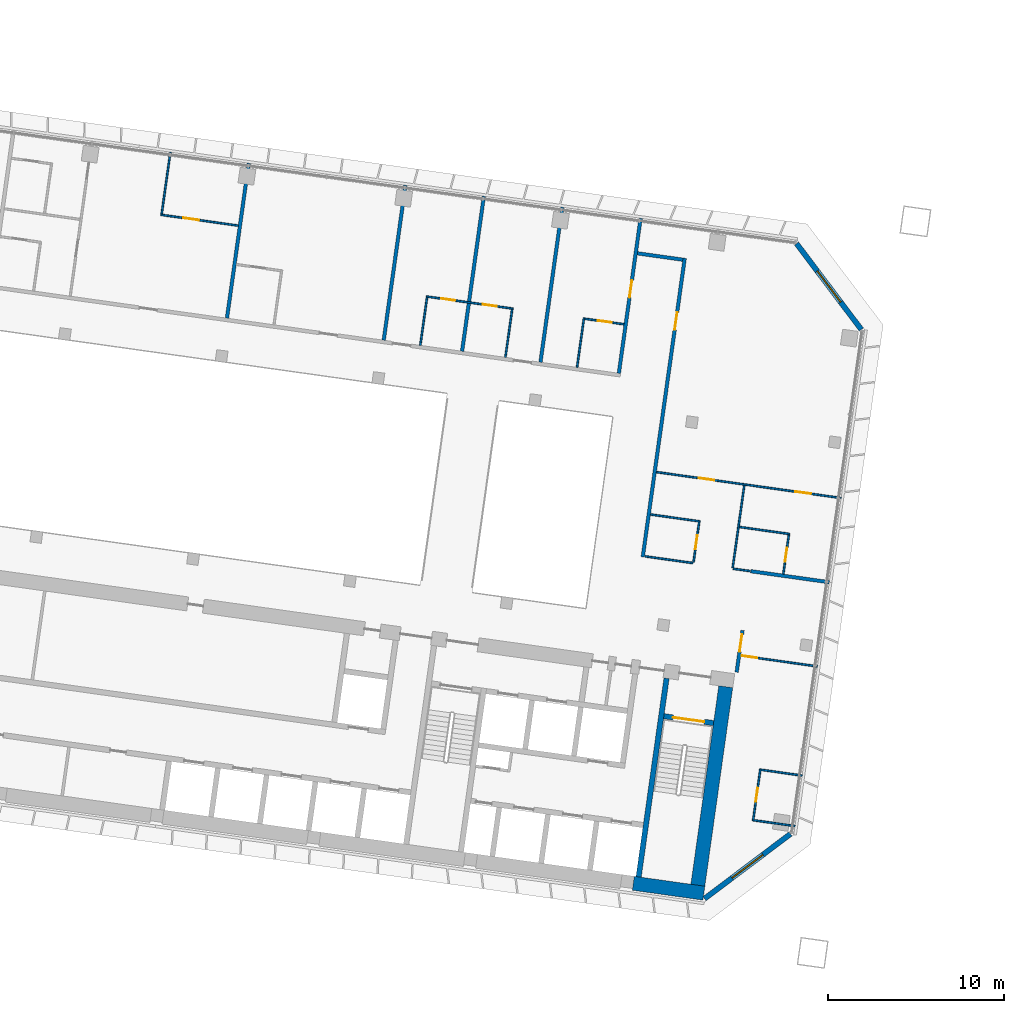
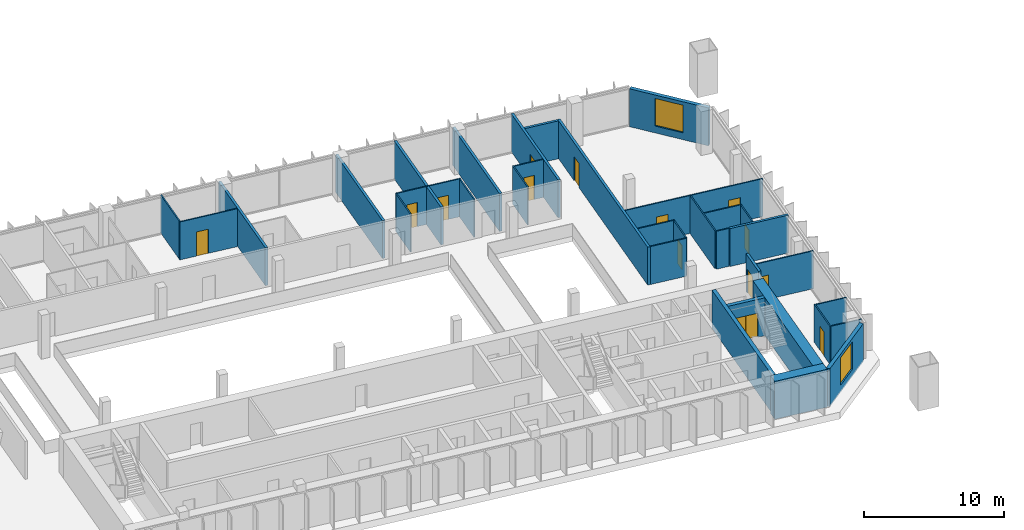
# One storey, part 21 of 34: 34 walls, 14 doors, 2 windows, 16 openings.
"""IFC4 building model written with IfcOpenShell, lengths in metres."""

from ifc_helpers import new_model, si_unit, direction, frame, frame_2d, origin, place, context, subcontext, project, spatial, rectangle, extrude, material, layer, layer_set, type_object, element, fill, save


model = new_model("IFC4")

# Units and contexts
model_context = context("Model", 3, precision=1e-05, world=origin(), true_north=direction((0.0, 1.0)))
body_context = subcontext(model_context, "Body", "Model", "MODEL_VIEW")
ifc_project = project(units=[si_unit("LENGTHUNIT", "METRE"), si_unit("AREAUNIT", "SQUARE_METRE"), si_unit("VOLUMEUNIT", "CUBIC_METRE"), si_unit("PLANEANGLEUNIT", "RADIAN"), si_unit("MASSUNIT", "GRAM", prefix="KILO")], contexts=[model_context])

# Site, building, storey
site_placement = place(None, origin())
site = spatial("IfcSite", under=ifc_project, at=site_placement, CompositionType="ELEMENT")
building_placement = place(site_placement, origin())
building = spatial("IfcBuilding", under=site, at=building_placement, Name="Mirante Cascada Hotel Towers", CompositionType="ELEMENT")
storey_placement = place(building_placement, frame((0.0, 0.0, 148.1)))
storey = spatial("IfcBuildingStorey", under=building, at=storey_placement, Name="L34", CompositionType="ELEMENT", Elevation=148.1)

# Walls
ifc_material_1 = material(Name="Fire-rated plasterboard on metal studs")
ifc_layer_1 = layer(ifc_material_1, 0.2)
ifc_layer_set_1 = layer_set([ifc_layer_1], Name="Compartment wall 200 EI 120")
wall_type_1 = type_object("IfcWallType", Name="Compartment wall 200 EI 120", PredefinedType="PARTITIONING", material=ifc_layer_set_1)
wall_1_placement = place(storey_placement, frame((-34.4562, -1.3737, 0.0), z_axis=(0.0, 0.0, 1.0), x_axis=(0.9902674, -0.1391779, 0.0)))
element("IfcWall", 1, at=wall_1_placement, inside=storey, type_object=wall_type_1, Name="Wall 1-L34-04", PredefinedType="PARTITIONING", context=body_context, shape_type="SweptSolid", body=[
    extrude(rectangle(XDim=4.5, YDim=0.2, at=frame_2d((2.25, 0.0))), origin(), (0.0, 0.0, 1.0), 3.3),
])
wall_2_placement = place(storey_placement, frame((-40.9036, 16.6995, 0.0), z_axis=(0.0, 0.0, 1.0), x_axis=(0.9902647, -0.1391971, 0.0)))
element("IfcWall", 2, at=wall_2_placement, inside=storey, type_object=wall_type_1, Name="Wall 1-L34-24", PredefinedType="PARTITIONING", context=body_context, shape_type="SweptSolid", body=[
    extrude(rectangle(XDim=2.5999, YDim=0.2, at=frame_2d((1.3, 0.0))), origin(), (0.0, 0.0, 1.0), 3.3),
])

# Wall, opening, door
wall_3_placement = place(storey_placement, frame((-35.2634, -7.1173, 0.0), z_axis=(0.0, 0.0, 1.0), x_axis=(0.1391635, 0.9902694, 0.0)))
wall_3 = element("IfcWall", 3, at=wall_3_placement, inside=storey, type_object=wall_type_1, Name="Wall 1-L34-29", PredefinedType="PARTITIONING", context=body_context, shape_type="SweptSolid", body=[
    extrude(rectangle(XDim=2.4001, YDim=0.2, at=frame_2d((1.2, 0.0))), origin(), (0.0, 0.0, 1.0), 3.3),
])
opening_1_placement = place(wall_3_placement, frame((1.1833, 0.0, 0.0)))
opening_1 = element("IfcOpeningElement", 4, at=opening_1_placement, cuts=wall_3, Name="Opening D1-L34-22", PredefinedType="OPENING", context=body_context, shape_type="SweptSolid", body=[
    extrude(rectangle(XDim=1.0, YDim=2.1, at=frame_2d((0.5, 1.05))), frame((0.0, 0.1, 0.0), z_axis=(0.0, -1.0, 0.0), x_axis=(1.0, 0.0, 0.0)), (0.0, 0.0, 1.0), 0.2),
])
ifc_material_2 = material(Name="Fire-rated timber door leaf", Category="wood")
door_type_1 = type_object("IfcDoorType", Name="Entrance door DG1 1000x2100 EI 60", OperationType="SINGLE_SWING_LEFT", PredefinedType="DOOR", material=ifc_material_2)
door_1_placement = place(opening_1_placement, frame((1.0, 0.0, 0.0), z_axis=(0.0, 0.0, 1.0), x_axis=(-1.0, 0.0, 0.0)))
door_1 = element("IfcDoor", 5, at=door_1_placement, inside=storey, type_object=door_type_1, Name="Door D1-L34-22", OperationType="SINGLE_SWING_RIGHT", OverallHeight=2.1, OverallWidth=1.0, PredefinedType="DOOR", context=body_context, shape_type="SweptSolid", body=[
    extrude(rectangle(XDim=1.0, YDim=2.1, at=frame_2d((0.5, 1.05))), frame((0.0, 0.025, 0.0), z_axis=(0.0, -1.0, 0.0), x_axis=(1.0, 0.0, 0.0)), (0.0, 0.0, 1.0), 0.05),
])
fill(opening_1, door_1)

wall_4_placement = place(storey_placement, frame((-38.216, 16.4227, 0.0), z_axis=(0.0, 0.0, 1.0), x_axis=(-0.139172, -0.9902682, 0.0)))
wall_4 = element("IfcWall", 6, at=wall_4_placement, inside=storey, type_object=wall_type_1, Name="Wall 1-L34-32", PredefinedType="PARTITIONING", context=body_context, shape_type="SweptSolid", body=[
    extrude(rectangle(XDim=17.15, YDim=0.2, at=frame_2d((8.575, 0.0))), origin(), (0.0, 0.0, 1.0), 3.3),
])
opening_2_placement = place(wall_4_placement, frame((3.1, 0.0, 0.0)))
opening_2 = element("IfcOpeningElement", 7, at=opening_2_placement, cuts=wall_4, Name="Opening D1-L34-24", PredefinedType="OPENING", context=body_context, shape_type="SweptSolid", body=[
    extrude(rectangle(XDim=1.0, YDim=2.1, at=frame_2d((0.5, 1.05))), frame((0.0, 0.1, 0.0), z_axis=(0.0, -1.0, 0.0), x_axis=(1.0, 0.0, 0.0)), (0.0, 0.0, 1.0), 0.2),
])
door_2_placement = place(opening_2_placement, origin())
door_2 = element("IfcDoor", 8, at=door_2_placement, inside=storey, type_object=door_type_1, Name="Door D1-L34-24", OperationType="SINGLE_SWING_LEFT", OverallHeight=2.1, OverallWidth=1.0, PredefinedType="DOOR", context=body_context, shape_type="SweptSolid", body=[
    extrude(rectangle(XDim=1.0, YDim=2.1, at=frame_2d((0.5, 1.05))), frame((0.0, 0.025, 0.0), z_axis=(0.0, -1.0, 0.0), x_axis=(1.0, 0.0, 0.0)), (0.0, 0.0, 1.0), 0.05),
])
fill(opening_2, door_2)

wall_5_placement = place(storey_placement, frame((-41.963, 9.8805, 0.0), z_axis=(0.0, 0.0, 1.0), x_axis=(0.1391794, 0.9902672, 0.0)))
wall_5 = element("IfcWall", 9, at=wall_5_placement, inside=storey, type_object=wall_type_1, Name="Wall 1-L34-33", PredefinedType="PARTITIONING", context=body_context, shape_type="SweptSolid", body=[
    extrude(rectangle(XDim=8.9, YDim=0.2, at=frame_2d((4.45, 0.0))), origin(), (0.0, 0.0, 1.0), 3.3),
])
opening_3_placement = place(wall_5_placement, frame((4.35, 0.0, 0.0)))
opening_3 = element("IfcOpeningElement", 10, at=opening_3_placement, cuts=wall_5, Name="Opening D1-L34-25", PredefinedType="OPENING", context=body_context, shape_type="SweptSolid", body=[
    extrude(rectangle(XDim=1.0, YDim=2.1, at=frame_2d((0.5, 1.05))), frame((0.0, 0.1, 0.0), z_axis=(0.0, -1.0, 0.0), x_axis=(1.0, 0.0, 0.0)), (0.0, 0.0, 1.0), 0.2),
])
door_3_placement = place(opening_3_placement, origin())
door_3 = element("IfcDoor", 11, at=door_3_placement, inside=storey, type_object=door_type_1, Name="Door D1-L34-25", OperationType="SINGLE_SWING_LEFT", OverallHeight=2.1, OverallWidth=1.0, PredefinedType="DOOR", context=body_context, shape_type="SweptSolid", body=[
    extrude(rectangle(XDim=1.0, YDim=2.1, at=frame_2d((0.5, 1.05))), frame((0.0, 0.025, 0.0), z_axis=(0.0, -1.0, 0.0), x_axis=(1.0, 0.0, 0.0)), (0.0, 0.0, 1.0), 0.05),
])
fill(opening_3, door_3)

# Walls
for number, where, z_axis, x_axis, name in (
    (12, (-46.4192, 10.5068, 0.0), (0.0, 0.0, 1.0), (0.1391794, 0.9902672, 0.0), "Wall 1-L34-35"),
    (13, (-50.8754, 11.1331, 0.0), (0.0, 0.0, 1.0), (0.1391794, 0.9902672, 0.0), "Wall 1-L34-37"),
    (14, (-55.3316, 11.7594, 0.0), (0.0, 0.0, 1.0), (0.1391794, 0.9902672, 0.0), "Wall 1-L34-39"),
    (15, (-64.244, 13.0119, 0.0), (0.0, 0.0, 1.0), (0.1391684, 0.9902687, 0.0), "Wall 1-L34-41"),
):
    element("IfcWall", number, at=place(storey_placement, frame(where, z_axis=z_axis, x_axis=x_axis)), inside=storey, type_object=wall_type_1, Name=name, PredefinedType="PARTITIONING", context=body_context, shape_type="SweptSolid", body=[
        extrude(rectangle(XDim=8.9, YDim=0.2, at=frame_2d((4.45, 0.0))), origin(), (0.0, 0.0, 1.0), 3.3),
    ])
ifc_material_3 = material(Name="Plasterboard on metal studs")
ifc_layer_2 = layer(ifc_material_3, 0.1)
ifc_layer_set_2 = layer_set([ifc_layer_2], Name="Partition 100")
wall_type_2 = type_object("IfcWallType", Name="Partition 100", PredefinedType="PARTITIONING", material=ifc_layer_set_2)
for number, where, z_axis, x_axis, name in (
    (16, (-31.9484, -15.8638, 0.0), (0.0, 0.0, 1.0), (-0.9902661, 0.139187, 0.0), "Wall 1-L34-01"),
    (17, (-33.872, -12.6649, 0.0), (0.0, 0.0, 1.0), (0.9902661, -0.139187, 0.0), "Wall 1-L34-02"),
):
    element("IfcWall", number, at=place(storey_placement, frame(where, z_axis=z_axis, x_axis=x_axis)), inside=storey, type_object=wall_type_2, Name=name, PredefinedType="PARTITIONING", context=body_context, shape_type="SweptSolid", body=[
        extrude(rectangle(XDim=2.3501, YDim=0.1, at=frame_2d((1.175, 0.0))), origin(), (0.0, 0.0, 1.0), 3.3),
    ])

# Wall, opening, door
wall_6_placement = place(storey_placement, frame((-30.6727, -6.7863, 0.0), z_axis=(0.0, 0.0, 1.0), x_axis=(-0.9902665, 0.1391841, 0.0)))
wall_6 = element("IfcWall", 18, at=wall_6_placement, inside=storey, type_object=wall_type_2, Name="Wall 1-L34-03", PredefinedType="PARTITIONING", context=body_context, shape_type="SweptSolid", body=[
    extrude(rectangle(XDim=4.3999, YDim=0.1, at=frame_2d((2.2, 0.0))), origin(), (0.0, 0.0, 1.0), 3.3),
])
opening_4_placement = place(wall_6_placement, frame((3.45, 0.0, 0.0)))
opening_4 = element("IfcOpeningElement", 19, at=opening_4_placement, cuts=wall_6, Name="Opening D1-L34-01", PredefinedType="OPENING", context=body_context, shape_type="SweptSolid", body=[
    extrude(rectangle(XDim=0.9, YDim=2.1, at=frame_2d((0.45, 1.05))), frame((0.0, 0.05, 0.0), z_axis=(0.0, -1.0, 0.0), x_axis=(1.0, 0.0, 0.0)), (0.0, 0.0, 1.0), 0.1),
])
ifc_material_4 = material(Name="Timber door leaf", Category="wood")
door_type_2 = type_object("IfcDoorType", Name="Room door DG3 900x2100", OperationType="SINGLE_SWING_LEFT", PredefinedType="DOOR", material=ifc_material_4)
door_4_placement = place(opening_4_placement, origin())
door_4 = element("IfcDoor", 20, at=door_4_placement, inside=storey, type_object=door_type_2, Name="Door D1-L34-01", OperationType="SINGLE_SWING_LEFT", OverallHeight=2.1, OverallWidth=0.9, PredefinedType="DOOR", context=body_context, shape_type="SweptSolid", body=[
    extrude(rectangle(XDim=0.9, YDim=2.1, at=frame_2d((0.45, 1.05))), frame((0.0, 0.025, 0.0), z_axis=(0.0, -1.0, 0.0), x_axis=(1.0, 0.0, 0.0)), (0.0, 0.0, 1.0), 0.05),
])
fill(opening_4, door_4)

# Walls
wall_7_placement = place(storey_placement, frame((-34.4859, -1.3695, 0.0), z_axis=(0.0, 0.0, 1.0), x_axis=(-0.9902801, 0.1390877, 0.0)))
element("IfcWall", 21, at=wall_7_placement, inside=storey, type_object=wall_type_2, Name="Wall 1-L34-05", PredefinedType="PARTITIONING", context=body_context, shape_type="SweptSolid", body=[
    extrude(rectangle(XDim=0.99, YDim=0.1, at=frame_2d((0.495, 0.0))), origin(), (0.0, 0.0, 1.0), 3.3),
])
wall_8_placement = place(storey_placement, frame((-40.4671, -0.5289, 0.0), z_axis=(0.0, 0.0, 1.0), x_axis=(0.9902645, -0.1391984, 0.0)))
element("IfcWall", 22, at=wall_8_placement, inside=storey, type_object=wall_type_2, Name="Wall 1-L34-06", PredefinedType="PARTITIONING", context=body_context, shape_type="SweptSolid", body=[
    extrude(rectangle(XDim=2.74, YDim=0.1, at=frame_2d((1.37, 0.0))), origin(), (0.0, 0.0, 1.0), 3.3),
])
wall_9_placement = place(storey_placement, frame((-32.2407, 0.7385, 0.0), z_axis=(0.0, 0.0, 1.0), x_axis=(-0.9902683, 0.1391714, 0.0)))
element("IfcWall", 23, at=wall_9_placement, inside=storey, type_object=wall_type_2, Name="Wall 1-L34-09", PredefinedType="PARTITIONING", context=body_context, shape_type="SweptSolid", body=[
    extrude(rectangle(XDim=2.9, YDim=0.1, at=frame_2d((1.45, 0.0))), origin(), (0.0, 0.0, 1.0), 3.3),
])
wall_10_placement = place(storey_placement, frame((-40.1628, 1.8519, 0.0), z_axis=(0.0, 0.0, 1.0), x_axis=(0.9902649, -0.1391957, 0.0)))
element("IfcWall", 24, at=wall_10_placement, inside=storey, type_object=wall_type_2, Name="Wall 1-L34-10", PredefinedType="PARTITIONING", context=body_context, shape_type="SweptSolid", body=[
    extrude(rectangle(XDim=2.8499, YDim=0.1, at=frame_2d((1.425, 0.0))), origin(), (0.0, 0.0, 1.0), 3.3),
])

# Wall, openings, doors
wall_11_placement = place(storey_placement, frame((-29.3273, 2.7863, 0.0), z_axis=(0.0, 0.0, 1.0), x_axis=(-0.9902686, 0.1391691, 0.0)))
wall_11 = element("IfcWall", 25, at=wall_11_placement, inside=storey, type_object=wall_type_2, Name="Wall 1-L34-11", PredefinedType="PARTITIONING", context=body_context, shape_type="SweptSolid", body=[
    extrude(rectangle(XDim=10.6001, YDim=0.1, at=frame_2d((5.3, 0.0))), origin(), (0.0, 0.0, 1.0), 3.3),
])
opening_5_placement = place(wall_11_placement, frame((1.725, 0.0, 0.0)))
opening_5 = element("IfcOpeningElement", 26, at=opening_5_placement, cuts=wall_11, Name="Opening D1-L34-02", PredefinedType="OPENING", context=body_context, shape_type="SweptSolid", body=[
    extrude(rectangle(XDim=0.9, YDim=2.1, at=frame_2d((0.45, 1.05))), frame((0.0, 0.05, 0.0), z_axis=(0.0, -1.0, 0.0), x_axis=(1.0, 0.0, 0.0)), (0.0, 0.0, 1.0), 0.1),
])
opening_6_placement = place(wall_11_placement, frame((7.275, 0.0, 0.0)))
opening_6 = element("IfcOpeningElement", 27, at=opening_6_placement, cuts=wall_11, Name="Opening D1-L34-03", PredefinedType="OPENING", context=body_context, shape_type="SweptSolid", body=[
    extrude(rectangle(XDim=0.9, YDim=2.1, at=frame_2d((0.45, 1.05))), frame((0.0, 0.05, 0.0), z_axis=(0.0, -1.0, 0.0), x_axis=(1.0, 0.0, 0.0)), (0.0, 0.0, 1.0), 0.1),
])
door_5_placement = place(opening_5_placement, frame((0.9, 0.0, 0.0), z_axis=(0.0, 0.0, 1.0), x_axis=(-1.0, 0.0, 0.0)))
door_5 = element("IfcDoor", 28, at=door_5_placement, inside=storey, type_object=door_type_2, Name="Door D1-L34-02", OperationType="SINGLE_SWING_RIGHT", OverallHeight=2.1, OverallWidth=0.9, PredefinedType="DOOR", context=body_context, shape_type="SweptSolid", body=[
    extrude(rectangle(XDim=0.9, YDim=2.1, at=frame_2d((0.45, 1.05))), frame((0.0, 0.025, 0.0), z_axis=(0.0, -1.0, 0.0), x_axis=(1.0, 0.0, 0.0)), (0.0, 0.0, 1.0), 0.05),
])
fill(opening_5, door_5)
door_6_placement = place(opening_6_placement, frame((0.9, 0.0, 0.0), z_axis=(0.0, 0.0, 1.0), x_axis=(-1.0, 0.0, 0.0)))
door_6 = element("IfcDoor", 29, at=door_6_placement, inside=storey, type_object=door_type_2, Name="Door D1-L34-03", OperationType="SINGLE_SWING_RIGHT", OverallHeight=2.1, OverallWidth=0.9, PredefinedType="DOOR", context=body_context, shape_type="SweptSolid", body=[
    extrude(rectangle(XDim=0.9, YDim=2.1, at=frame_2d((0.45, 1.05))), frame((0.0, 0.025, 0.0), z_axis=(0.0, -1.0, 0.0), x_axis=(1.0, 0.0, 0.0)), (0.0, 0.0, 1.0), 0.05),
])
fill(opening_6, door_6)

# Wall, opening, door
wall_12_placement = place(storey_placement, frame((-41.6723, 12.6672, 0.0), z_axis=(0.0, 0.0, 1.0), x_axis=(-0.9902643, 0.1391997, 0.0)))
wall_12 = element("IfcWall", 30, at=wall_12_placement, inside=storey, type_object=wall_type_2, Name="Wall 1-L34-17", PredefinedType="PARTITIONING", context=body_context, shape_type="SweptSolid", body=[
    extrude(rectangle(XDim=2.25, YDim=0.1, at=frame_2d((1.125, 0.0))), origin(), (0.0, 0.0, 1.0), 3.3),
])
opening_7_placement = place(wall_12_placement, frame((0.7, 0.0, 0.0)))
opening_7 = element("IfcOpeningElement", 31, at=opening_7_placement, cuts=wall_12, Name="Opening D1-L34-11", PredefinedType="OPENING", context=body_context, shape_type="SweptSolid", body=[
    extrude(rectangle(XDim=0.8, YDim=2.1, at=frame_2d((0.4, 1.05))), frame((0.0, 0.05, 0.0), z_axis=(0.0, -1.0, 0.0), x_axis=(1.0, 0.0, 0.0)), (0.0, 0.0, 1.0), 0.1),
])
ifc_material_5 = material(Name="Timber door leaf", Category="wood")
door_type_3 = type_object("IfcDoorType", Name="Bathroom door DG4 800x2100", OperationType="SINGLE_SWING_LEFT", PredefinedType="DOOR", material=ifc_material_5)
door_7_placement = place(opening_7_placement, frame((0.8, 0.0, 0.0), z_axis=(0.0, 0.0, 1.0), x_axis=(-1.0, 0.0, 0.0)))
door_7 = element("IfcDoor", 32, at=door_7_placement, inside=storey, type_object=door_type_3, Name="Door D1-L34-11", OperationType="SINGLE_SWING_RIGHT", OverallHeight=2.1, OverallWidth=0.8, PredefinedType="DOOR", context=body_context, shape_type="SweptSolid", body=[
    extrude(rectangle(XDim=0.8, YDim=2.1, at=frame_2d((0.4, 1.05))), frame((0.0, 0.025, 0.0), z_axis=(0.0, -1.0, 0.0), x_axis=(1.0, 0.0, 0.0)), (0.0, 0.0, 1.0), 0.05),
])
fill(opening_7, door_7)

# Wall, openings, doors
wall_13_placement = place(storey_placement, frame((-52.9119, 14.2468, 0.0), z_axis=(0.0, 0.0, 1.0), x_axis=(0.9902689, -0.139167, 0.0)))
wall_13 = element("IfcWall", 33, at=wall_13_placement, inside=storey, type_object=wall_type_2, Name="Wall 1-L34-18", PredefinedType="PARTITIONING", context=body_context, shape_type="SweptSolid", body=[
    extrude(rectangle(XDim=4.9875, YDim=0.1, at=frame_2d((2.4938, 0.0))), origin(), (0.0, 0.0, 1.0), 3.3),
])
opening_8_placement = place(wall_13_placement, frame((3.25, 0.0, 0.0)))
opening_8 = element("IfcOpeningElement", 34, at=opening_8_placement, cuts=wall_13, Name="Opening D1-L34-12", PredefinedType="OPENING", context=body_context, shape_type="SweptSolid", body=[
    extrude(rectangle(XDim=0.8, YDim=2.1, at=frame_2d((0.4, 1.05))), frame((0.0, 0.05, 0.0), z_axis=(0.0, -1.0, 0.0), x_axis=(1.0, 0.0, 0.0)), (0.0, 0.0, 1.0), 0.1),
])
opening_9_placement = place(wall_13_placement, frame((0.85, 0.0, 0.0)))
opening_9 = element("IfcOpeningElement", 35, at=opening_9_placement, cuts=wall_13, Name="Opening D1-L34-13", PredefinedType="OPENING", context=body_context, shape_type="SweptSolid", body=[
    extrude(rectangle(XDim=0.8, YDim=2.1, at=frame_2d((0.4, 1.05))), frame((0.0, 0.05, 0.0), z_axis=(0.0, -1.0, 0.0), x_axis=(1.0, 0.0, 0.0)), (0.0, 0.0, 1.0), 0.1),
])
door_8_placement = place(opening_8_placement, origin())
door_8 = element("IfcDoor", 36, at=door_8_placement, inside=storey, type_object=door_type_3, Name="Door D1-L34-12", OperationType="SINGLE_SWING_LEFT", OverallHeight=2.1, OverallWidth=0.8, PredefinedType="DOOR", context=body_context, shape_type="SweptSolid", body=[
    extrude(rectangle(XDim=0.8, YDim=2.1, at=frame_2d((0.4, 1.05))), frame((0.0, 0.025, 0.0), z_axis=(0.0, -1.0, 0.0), x_axis=(1.0, 0.0, 0.0)), (0.0, 0.0, 1.0), 0.05),
])
fill(opening_8, door_8)
door_9_placement = place(opening_9_placement, origin())
door_9 = element("IfcDoor", 37, at=door_9_placement, inside=storey, type_object=door_type_3, Name="Door D1-L34-13", OperationType="SINGLE_SWING_LEFT", OverallHeight=2.1, OverallWidth=0.8, PredefinedType="DOOR", context=body_context, shape_type="SweptSolid", body=[
    extrude(rectangle(XDim=0.8, YDim=2.1, at=frame_2d((0.4, 1.05))), frame((0.0, 0.025, 0.0), z_axis=(0.0, -1.0, 0.0), x_axis=(1.0, 0.0, 0.0)), (0.0, 0.0, 1.0), 0.05),
])
fill(opening_9, door_9)

# Wall, opening, door
wall_14_placement = place(storey_placement, frame((-63.6054, 18.2743, 0.0), z_axis=(0.0, 0.0, 1.0), x_axis=(-0.9902687, 0.1391684, 0.0)))
wall_14 = element("IfcWall", 38, at=wall_14_placement, inside=storey, type_object=wall_type_2, Name="Wall 1-L34-23", PredefinedType="PARTITIONING", context=body_context, shape_type="SweptSolid", body=[
    extrude(rectangle(XDim=4.45, YDim=0.1, at=frame_2d((2.225, 0.0))), origin(), (0.0, 0.0, 1.0), 3.3),
])
opening_10_placement = place(wall_14_placement, frame((2.25, 0.0, 0.0)))
opening_10 = element("IfcOpeningElement", 39, at=opening_10_placement, cuts=wall_14, Name="Opening D1-L34-18", PredefinedType="OPENING", context=body_context, shape_type="SweptSolid", body=[
    extrude(rectangle(XDim=0.9, YDim=2.1, at=frame_2d((0.45, 1.05))), frame((0.0, 0.05, 0.0), z_axis=(0.0, -1.0, 0.0), x_axis=(1.0, 0.0, 0.0)), (0.0, 0.0, 1.0), 0.1),
])
door_10_placement = place(opening_10_placement, origin())
door_10 = element("IfcDoor", 40, at=door_10_placement, inside=storey, type_object=door_type_2, Name="Door D1-L34-18", OperationType="SINGLE_SWING_LEFT", OverallHeight=2.1, OverallWidth=0.9, PredefinedType="DOOR", context=body_context, shape_type="SweptSolid", body=[
    extrude(rectangle(XDim=0.9, YDim=2.1, at=frame_2d((0.45, 1.05))), frame((0.0, 0.025, 0.0), z_axis=(0.0, -1.0, 0.0), x_axis=(1.0, 0.0, 0.0)), (0.0, 0.0, 1.0), 0.05),
])
fill(opening_10, door_10)

wall_15_placement = place(storey_placement, frame((-34.332, -15.5793, 0.0), z_axis=(0.0, 0.0, 1.0), x_axis=(0.1391624, 0.9902696, 0.0)))
wall_15 = element("IfcWall", 41, at=wall_15_placement, inside=storey, type_object=wall_type_2, Name="Wall 1-L34-27", PredefinedType="PARTITIONING", context=body_context, shape_type="SweptSolid", body=[
    extrude(rectangle(XDim=3.0001, YDim=0.1, at=frame_2d((1.5001, 0.0))), origin(), (0.0, 0.0, 1.0), 3.3),
])
opening_11_placement = place(wall_15_placement, frame((1.1, 0.0, 0.0)))
opening_11 = element("IfcOpeningElement", 42, at=opening_11_placement, cuts=wall_15, Name="Opening D1-L34-20", PredefinedType="OPENING", context=body_context, shape_type="SweptSolid", body=[
    extrude(rectangle(XDim=0.8, YDim=2.1, at=frame_2d((0.4, 1.05))), frame((0.0, 0.05, 0.0), z_axis=(0.0, -1.0, 0.0), x_axis=(1.0, 0.0, 0.0)), (0.0, 0.0, 1.0), 0.1),
])
door_11_placement = place(opening_11_placement, origin())
door_11 = element("IfcDoor", 43, at=door_11_placement, inside=storey, type_object=door_type_3, Name="Door D1-L34-20", OperationType="SINGLE_SWING_LEFT", OverallHeight=2.1, OverallWidth=0.8, PredefinedType="DOOR", context=body_context, shape_type="SweptSolid", body=[
    extrude(rectangle(XDim=0.8, YDim=2.1, at=frame_2d((0.4, 1.05))), frame((0.0, 0.025, 0.0), z_axis=(0.0, -1.0, 0.0), x_axis=(1.0, 0.0, 0.0)), (0.0, 0.0, 1.0), 0.05),
])
fill(opening_11, door_11)

wall_16_placement = place(storey_placement, frame((-32.2972, 0.6959, 0.0), z_axis=(0.0, 0.0, 1.0), x_axis=(-0.1391561, -0.9902705, 0.0)))
wall_16 = element("IfcWall", 44, at=wall_16_placement, inside=storey, type_object=wall_type_2, Name="Wall 1-L34-28", PredefinedType="PARTITIONING", context=body_context, shape_type="SweptSolid", body=[
    extrude(rectangle(XDim=2.25, YDim=0.1, at=frame_2d((1.125, 0.0))), origin(), (0.0, 0.0, 1.0), 3.3),
])
opening_12_placement = place(wall_16_placement, frame((0.75, 0.0, 0.0)))
opening_12 = element("IfcOpeningElement", 45, at=opening_12_placement, cuts=wall_16, Name="Opening D1-L34-21", PredefinedType="OPENING", context=body_context, shape_type="SweptSolid", body=[
    extrude(rectangle(XDim=0.8, YDim=2.1, at=frame_2d((0.4, 1.05))), frame((0.0, 0.05, 0.0), z_axis=(0.0, -1.0, 0.0), x_axis=(1.0, 0.0, 0.0)), (0.0, 0.0, 1.0), 0.1),
])
door_12_placement = place(opening_12_placement, frame((0.8, 0.0, 0.0), z_axis=(0.0, 0.0, 1.0), x_axis=(-1.0, 0.0, 0.0)))
door_12 = element("IfcDoor", 46, at=door_12_placement, inside=storey, type_object=door_type_3, Name="Door D1-L34-21", OperationType="SINGLE_SWING_RIGHT", OverallHeight=2.1, OverallWidth=0.8, PredefinedType="DOOR", context=body_context, shape_type="SweptSolid", body=[
    extrude(rectangle(XDim=0.8, YDim=2.1, at=frame_2d((0.4, 1.05))), frame((0.0, 0.025, 0.0), z_axis=(0.0, -1.0, 0.0), x_axis=(1.0, 0.0, 0.0)), (0.0, 0.0, 1.0), 0.05),
])
fill(opening_12, door_12)

# Wall
wall_17_placement = place(storey_placement, frame((-34.8303, 3.5092, 0.0), z_axis=(0.0, 0.0, 1.0), x_axis=(-0.1391613, -0.9902697, 0.0)))
element("IfcWall", 47, at=wall_17_placement, inside=storey, type_object=wall_type_2, Name="Wall 1-L34-30", PredefinedType="PARTITIONING", context=body_context, shape_type="SweptSolid", body=[
    extrude(rectangle(XDim=4.7334, YDim=0.1, at=frame_2d((2.3667, 0.0))), origin(), (0.0, 0.0, 1.0), 3.3),
])

# Wall, opening, door
wall_18_placement = place(storey_placement, frame((-37.7171, -0.8649, 0.0), z_axis=(0.0, 0.0, 1.0), x_axis=(0.1391749, 0.9902678, 0.0)))
wall_18 = element("IfcWall", 48, at=wall_18_placement, inside=storey, type_object=wall_type_2, Name="Wall 1-L34-31", PredefinedType="PARTITIONING", context=body_context, shape_type="SweptSolid", body=[
    extrude(rectangle(XDim=2.3, YDim=0.1, at=frame_2d((1.15, 0.0))), origin(), (0.0, 0.0, 1.0), 3.3),
])
opening_13_placement = place(wall_18_placement, frame((0.75, 0.0, 0.0)))
opening_13 = element("IfcOpeningElement", 49, at=opening_13_placement, cuts=wall_18, Name="Opening D1-L34-23", PredefinedType="OPENING", context=body_context, shape_type="SweptSolid", body=[
    extrude(rectangle(XDim=0.8, YDim=2.1, at=frame_2d((0.4, 1.05))), frame((0.0, 0.05, 0.0), z_axis=(0.0, -1.0, 0.0), x_axis=(1.0, 0.0, 0.0)), (0.0, 0.0, 1.0), 0.1),
])
door_13_placement = place(opening_13_placement, origin())
door_13 = element("IfcDoor", 50, at=door_13_placement, inside=storey, type_object=door_type_3, Name="Door D1-L34-23", OperationType="SINGLE_SWING_LEFT", OverallHeight=2.1, OverallWidth=0.8, PredefinedType="DOOR", context=body_context, shape_type="SweptSolid", body=[
    extrude(rectangle(XDim=0.8, YDim=2.1, at=frame_2d((0.4, 1.05))), frame((0.0, 0.025, 0.0), z_axis=(0.0, -1.0, 0.0), x_axis=(1.0, 0.0, 0.0)), (0.0, 0.0, 1.0), 0.05),
])
fill(opening_13, door_13)

# Walls
wall_19_placement = place(storey_placement, frame((-43.943, 13.0368, 0.0), z_axis=(0.0, 0.0, 1.0), x_axis=(-0.1391613, -0.9902697, 0.0)))
element("IfcWall", 51, at=wall_19_placement, inside=storey, type_object=wall_type_2, Name="Wall 1-L34-34", PredefinedType="PARTITIONING", context=body_context, shape_type="SweptSolid", body=[
    extrude(rectangle(XDim=2.8499, YDim=0.1, at=frame_2d((1.425, 0.0))), origin(), (0.0, 0.0, 1.0), 3.3),
])
wall_20_placement = place(storey_placement, frame((-48.0294, 13.5101, 0.0), z_axis=(0.0, 0.0, 1.0), x_axis=(-0.1391657, -0.9902691, 0.0)))
element("IfcWall", 52, at=wall_20_placement, inside=storey, type_object=wall_type_2, Name="Wall 1-L34-36", PredefinedType="PARTITIONING", context=body_context, shape_type="SweptSolid", body=[
    extrude(rectangle(XDim=2.75, YDim=0.1, at=frame_2d((1.375, 0.0))), origin(), (0.0, 0.0, 1.0), 3.3),
])
wall_21_placement = place(storey_placement, frame((-52.8693, 14.1904, 0.0), z_axis=(0.0, 0.0, 1.0), x_axis=(-0.1391607, -0.9902698, 0.0)))
element("IfcWall", 53, at=wall_21_placement, inside=storey, type_object=wall_type_2, Name="Wall 1-L34-38", PredefinedType="PARTITIONING", context=body_context, shape_type="SweptSolid", body=[
    extrude(rectangle(XDim=2.7501, YDim=0.1, at=frame_2d((1.3751, 0.0))), origin(), (0.0, 0.0, 1.0), 3.3),
])
wall_22_placement = place(storey_placement, frame((-67.4616, 22.4516, 0.0), z_axis=(0.0, 0.0, 1.0), x_axis=(-0.1391573, -0.9902703, 0.0)))
element("IfcWall", 54, at=wall_22_placement, inside=storey, type_object=wall_type_2, Name="Wall 1-L34-42", PredefinedType="PARTITIONING", context=body_context, shape_type="SweptSolid", body=[
    extrude(rectangle(XDim=3.5499, YDim=0.1, at=frame_2d((1.775, 0.0))), origin(), (0.0, 0.0, 1.0), 3.3),
])

# Wall, opening, window
ifc_material_6 = material(Name="Precast concrete C40/50", Category="concrete")
ifc_layer_3 = layer(ifc_material_6, 0.3)
ifc_layer_set_3 = layer_set([ifc_layer_3], Name="Precast concrete C40/50 cladding wall 300")
wall_type_3 = type_object("IfcWallType", Name="Precast concrete C40/50 cladding wall 300", PredefinedType="STANDARD", material=ifc_layer_set_3)
wall_23_placement = place(storey_placement, frame((-31.857, 17.252, 0.0), z_axis=(0.0, 0.0, 1.0), x_axis=(0.6018141, -0.7986362, 0.0)))
wall_23 = element("IfcWall", 55, at=wall_23_placement, inside=storey, type_object=wall_type_3, Name="Corner cladding wall T1 L34 front inner", PredefinedType="STANDARD", context=body_context, shape_type="SweptSolid", body=[
    extrude(rectangle(XDim=6.1157, YDim=0.3, at=frame_2d((3.0578, 0.0))), origin(), (0.0, 0.0, 1.0), 3.3),
])
opening_14_placement = place(wall_23_placement, frame((1.9578, 0.0, 0.6)))
opening_14 = element("IfcOpeningElement", 56, at=opening_14_placement, cuts=wall_23, Name="Opening W1-34-05", PredefinedType="OPENING", context=body_context, shape_type="SweptSolid", body=[
    extrude(rectangle(XDim=2.2, YDim=2.4, at=frame_2d((1.1, 1.2))), frame((0.0, 0.15, 0.0), z_axis=(0.0, -1.0, 0.0), x_axis=(1.0, 0.0, 0.0)), (0.0, 0.0, 1.0), 0.3),
])
ifc_material_7 = material(Name="Aluminium frame with clear double glazing", Category="aluminium")
window_type = type_object("IfcWindowType", Name="Corner suite window 2200x2400", PartitioningType="DOUBLE_PANEL_VERTICAL", PredefinedType="WINDOW", material=ifc_material_7)
window_1_placement = place(opening_14_placement, origin())
window_1 = element("IfcWindow", 57, at=window_1_placement, inside=storey, type_object=window_type, Name="Window W1-34-05", OverallHeight=2.4, OverallWidth=2.2, PartitioningType="SINGLE_PANEL", PredefinedType="WINDOW", context=body_context, shape_type="SweptSolid", body=[
    extrude(rectangle(XDim=2.2, YDim=2.4, at=frame_2d((1.1, 1.2))), frame((0.0, 0.03, 0.0), z_axis=(0.0, -1.0, 0.0), x_axis=(1.0, 0.0, 0.0)), (0.0, 0.0, 1.0), 0.06),
])
fill(opening_14, window_1)

wall_24_placement = place(storey_placement, frame((-32.2074, -16.3138, 0.0), z_axis=(0.0, 0.0, 1.0), x_axis=(-0.7986362, -0.6018141, 0.0)))
wall_24 = element("IfcWall", 58, at=wall_24_placement, inside=storey, type_object=wall_type_3, Name="Corner cladding wall T1 L34 inner rear", PredefinedType="STANDARD", context=body_context, shape_type="SweptSolid", body=[
    extrude(rectangle(XDim=6.1157, YDim=0.3, at=frame_2d((3.0578, 0.0))), origin(), (0.0, 0.0, 1.0), 3.3),
])
opening_15_placement = place(wall_24_placement, frame((1.9578, 0.0, 0.6)))
opening_15 = element("IfcOpeningElement", 59, at=opening_15_placement, cuts=wall_24, Name="Opening W1-34-06", PredefinedType="OPENING", context=body_context, shape_type="SweptSolid", body=[
    extrude(rectangle(XDim=2.2, YDim=2.4, at=frame_2d((1.1, 1.2))), frame((0.0, 0.15, 0.0), z_axis=(0.0, -1.0, 0.0), x_axis=(1.0, 0.0, 0.0)), (0.0, 0.0, 1.0), 0.3),
])
window_2_placement = place(opening_15_placement, origin())
window_2 = element("IfcWindow", 60, at=window_2_placement, inside=storey, type_object=window_type, Name="Window W1-34-06", OverallHeight=2.4, OverallWidth=2.2, PartitioningType="SINGLE_PANEL", PredefinedType="WINDOW", context=body_context, shape_type="SweptSolid", body=[
    extrude(rectangle(XDim=2.2, YDim=2.4, at=frame_2d((1.1, 1.2))), frame((0.0, 0.03, 0.0), z_axis=(0.0, -1.0, 0.0), x_axis=(1.0, 0.0, 0.0)), (0.0, 0.0, 1.0), 0.06),
])
fill(opening_15, window_2)

# Wall
ifc_material_8 = material(Name="Concrete C50/60", Category="concrete")
ifc_layer_4 = layer(ifc_material_8, 0.3)
ifc_layer_set_4 = layer_set([ifc_layer_4], Name="RC core wall 300 C50/60")
wall_type_4 = type_object("IfcWallType", Name="RC core wall 300 C50/60", PredefinedType="SHEAR", material=ifc_layer_set_4)
wall_25_placement = place(storey_placement, frame((-40.8373, -18.7548, 0.0), z_axis=(0.0, 0.0, 1.0), x_axis=(0.1391749, 0.9902678, 0.0)))
element("IfcWall", 61, at=wall_25_placement, inside=storey, type_object=wall_type_4, Name="Core wall T1:L34:5", PredefinedType="SHEAR", context=body_context, shape_type="SweptSolid", body=[
    extrude(rectangle(XDim=11.4, YDim=0.3, at=frame_2d((5.7, 0.0))), origin(), (0.0, 0.0, 1.0), 3.3),
])

# Wall, opening, door
wall_26_placement = place(storey_placement, frame((-36.5791, -10.0123, 0.0), z_axis=(0.0, 0.0, 1.0), x_axis=(-0.9902704, 0.1391564, 0.0)))
wall_26 = element("IfcWall", 62, at=wall_26_placement, inside=storey, type_object=wall_type_4, Name="Core wall T1:L34:9", PredefinedType="SHEAR", context=body_context, shape_type="SweptSolid", body=[
    extrude(rectangle(XDim=2.85, YDim=0.3, at=frame_2d((1.425, 0.0))), origin(), (0.0, 0.0, 1.0), 3.3),
])
opening_16_placement = place(wall_26_placement, frame((0.525, 0.0, 0.0)))
opening_16 = element("IfcOpeningElement", 63, at=opening_16_placement, cuts=wall_26, Name="Opening D1-34-C13", PredefinedType="OPENING", context=body_context, shape_type="SweptSolid", body=[
    extrude(rectangle(XDim=1.8, YDim=2.1, at=frame_2d((0.9, 1.05))), frame((0.0, 0.15, 0.0), z_axis=(0.0, -1.0, 0.0), x_axis=(1.0, 0.0, 0.0)), (0.0, 0.0, 1.0), 0.3),
])
ifc_material_9 = material(Name="Hollow metal fire door leaf")
door_type_4 = type_object("IfcDoorType", Name="Double fire door 1800x2100 FD60", OperationType="DOUBLE_DOOR_SINGLE_SWING", PredefinedType="DOOR", material=ifc_material_9)
door_14_placement = place(opening_16_placement, origin())
door_14 = element("IfcDoor", 64, at=door_14_placement, inside=storey, type_object=door_type_4, Name="Stair door T1 L34 13", OperationType="DOUBLE_DOOR_SINGLE_SWING", OverallHeight=2.1, OverallWidth=1.8, PredefinedType="DOOR", context=body_context, shape_type="SweptSolid", body=[
    extrude(rectangle(XDim=0.895, YDim=2.1, at=frame_2d((0.4475, 1.05))), frame((0.0, 0.025, 0.0), z_axis=(0.0, -1.0, 0.0), x_axis=(1.0, 0.0, 0.0)), (0.0, 0.0, 1.0), 0.05),
    extrude(rectangle(XDim=0.895, YDim=2.1, at=frame_2d((1.3525, 1.05))), frame((0.0, 0.025, 0.0), z_axis=(0.0, -1.0, 0.0), x_axis=(1.0, 0.0, 0.0)), (0.0, 0.0, 1.0), 0.05),
])
fill(opening_16, door_14)

# Walls
ifc_material_10 = material(Name="Concrete C50/60", Category="concrete")
ifc_layer_5 = layer(ifc_material_10, 0.8)
ifc_layer_set_5 = layer_set([ifc_layer_5], Name="RC core wall 800 C50/60")
wall_type_5 = type_object("IfcWallType", Name="RC core wall 800 C50/60", PredefinedType="SHEAR", material=ifc_layer_set_5)
wall_27_placement = place(storey_placement, frame((-37.1299, -19.6798, 0.0), z_axis=(0.0, 0.0, 1.0), x_axis=(-0.9902665, 0.1391845, 0.0)))
element("IfcWall", 65, at=wall_27_placement, inside=storey, type_object=wall_type_5, Name="Core wall T1:L34:1.1", PredefinedType="SHEAR", context=body_context, shape_type="SweptSolid", body=[
    extrude(rectangle(XDim=4.05, YDim=0.8, at=frame_2d((2.025, 0.0))), origin(), (0.0, 0.0, 1.0), 3.3),
])
wall_28_placement = place(storey_placement, frame((-37.4704, -19.228, 0.0), z_axis=(0.0, 0.0, 1.0), x_axis=(0.1391749, 0.9902678, 0.0)))
element("IfcWall", 66, at=wall_28_placement, inside=storey, type_object=wall_type_5, Name="Core wall T1:L34:3", PredefinedType="SHEAR", context=body_context, shape_type="SweptSolid", body=[
    extrude(rectangle(XDim=11.4, YDim=0.8, at=frame_2d((5.7, 0.0))), origin(), (0.0, 0.0, 1.0), 3.3),
])

save(model, "model.ifc")
